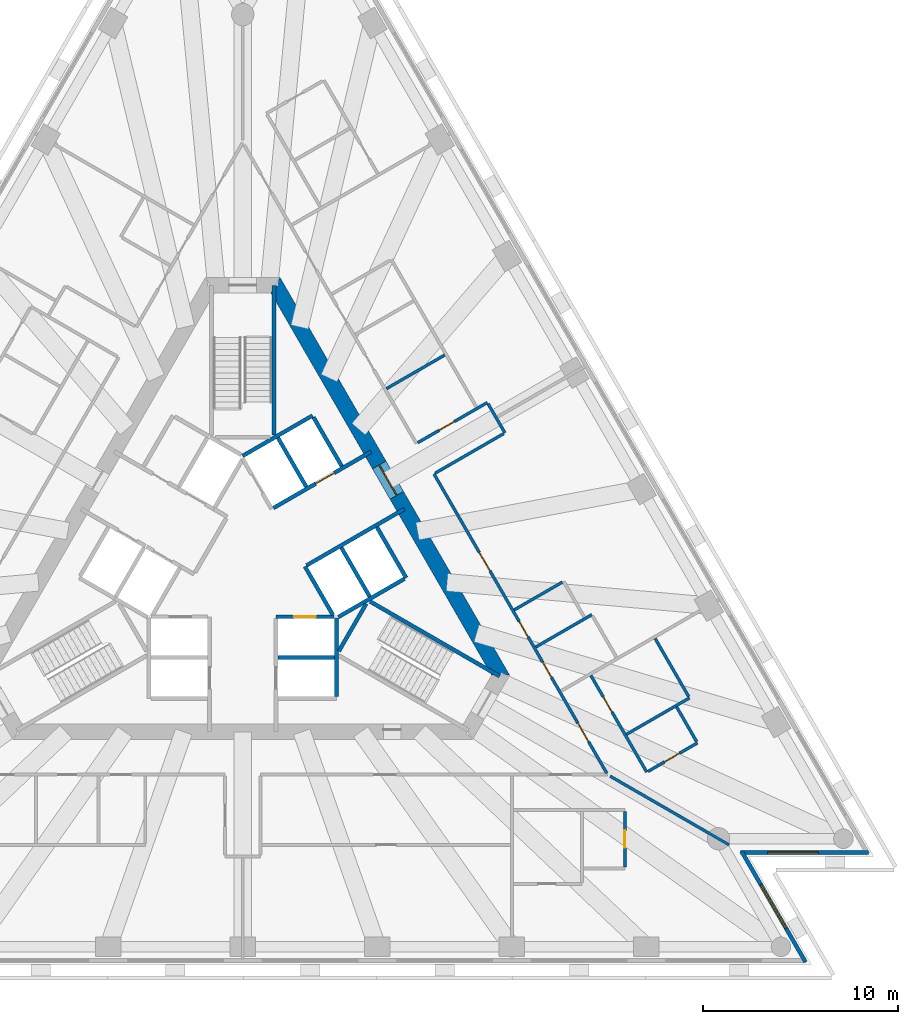
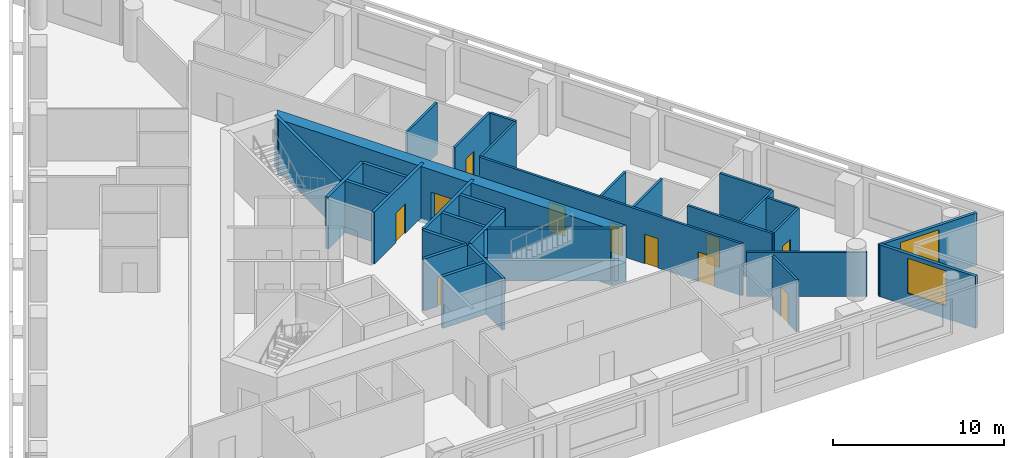
# One storey, part 5 of 10: 32 walls, 11 doors, 2 windows, 13 openings.
"""IFC4 building model written with IfcOpenShell, lengths in metres."""

import ifcopenshell
import ifcopenshell.guid

model = None  # the IFC model being written
_history = None  # IfcOwnerHistory: only IFC2X3 demands one
_inside = {}  # id of a spatial element -> (the spatial element, [elements in it])
_under = {}  # id of a project, library or spatial element -> (it, [spatial elements below it])
_declared = {}  # id of a project -> (the project, [libraries it declares])
_typed = {}  # id of a type object -> (the type object, [elements of that type])
_made_of = {}  # id of a material, layer set ... -> (it, [elements and type objects made of it])


def new_model(schema):
    """Start an empty IFC model of exactly this schema.

    Asked for "IFC4X3", IfcOpenShell would pick the latest addendum, in which some entities
    have other attributes; the version numbers below select the first issue.
    IFC2X3 requires an IfcOwnerHistory on every rooted entity: one is made here for all.
    """
    global model, _history
    if schema == "IFC4X3":
        model = ifcopenshell.file(schema_version=(4, 3, 0, 0))
    else:
        model = ifcopenshell.file(schema=schema)
    _inside.clear()
    _under.clear()
    _declared.clear()
    _typed.clear()
    _made_of.clear()
    _history = None
    if model.schema == "IFC2X3":
        org = make("IfcOrganization", Name="unknown")
        user = make(
            "IfcPersonAndOrganization",
            ThePerson=make("IfcPerson", FamilyName="unknown"),
            TheOrganization=org,
        )
        app = make(
            "IfcApplication",
            ApplicationDeveloper=org,
            Version="unknown",
            ApplicationFullName="unknown",
            ApplicationIdentifier="unknown",
        )
        _history = make(
            "IfcOwnerHistory",
            OwningUser=user,
            OwningApplication=app,
            ChangeAction="ADDED",
            CreationDate=0,
        )
    return model


def make(cls, **values):
    """One entity of the class cls with the attributes given. An attribute that is None is left unset."""
    return model.create_entity(
        cls, **{name: value for name, value in values.items() if value is not None}
    )


def rooted(cls, **values):
    """An entity with a GlobalId (a new one), such as an element, a storey or a relation."""
    return make(cls, GlobalId=ifcopenshell.guid.new(), OwnerHistory=_history, **values)


def si_unit(unit_type, name, prefix=None):
    """IfcSIUnit, for example si_unit("LENGTHUNIT", "METRE", prefix="MILLI")."""
    return make("IfcSIUnit", UnitType=unit_type, Prefix=prefix, Name=name)


def assignment(units):
    """IfcUnitAssignment: the units of a project."""
    return None if units is None else make("IfcUnitAssignment", Units=units)


def point(xyz):
    """IfcCartesianPoint."""
    return None if xyz is None else make("IfcCartesianPoint", Coordinates=xyz)


def direction(xyz):
    """IfcDirection."""
    return None if xyz is None else make("IfcDirection", DirectionRatios=xyz)


def frame(location, z_axis=None, x_axis=None):
    """IfcAxis2Placement3D, a coordinate frame: its origin and axes. An axis left out is left unset."""
    return make(
        "IfcAxis2Placement3D",
        Location=point(location),
        Axis=direction(z_axis),
        RefDirection=direction(x_axis),
    )


def frame_2d(location, x_axis=None):
    """IfcAxis2Placement2D, a coordinate frame in the plane: its origin and x axis."""
    return make(
        "IfcAxis2Placement2D", Location=point(location), RefDirection=direction(x_axis)
    )


def origin():
    """The frame at (0, 0, 0) with its axes left unset."""
    return frame((0.0, 0.0, 0.0))


def place(relative_to, where):
    """IfcLocalPlacement: puts the frame where relative to a parent placement (None: the world)."""
    return make(
        "IfcLocalPlacement", PlacementRelTo=relative_to, RelativePlacement=where
    )


def context(
    kind, dimensions, precision=None, world=None, true_north=None, identifier=None
):
    """IfcGeometricRepresentationContext, for example the 3D "Model" context."""
    return make(
        "IfcGeometricRepresentationContext",
        ContextIdentifier=identifier,
        ContextType=kind,
        CoordinateSpaceDimension=dimensions,
        Precision=precision,
        WorldCoordinateSystem=world,
        TrueNorth=true_north,
    )


def subcontext(parent, identifier, kind, view, scale=None):
    """IfcGeometricRepresentationSubContext, for example "Body" below "Model"."""
    return make(
        "IfcGeometricRepresentationSubContext",
        ContextIdentifier=identifier,
        ContextType=kind,
        ParentContext=parent,
        TargetScale=scale,
        TargetView=view,
    )


def project(units=None, contexts=None):
    """IfcProject with its units and contexts."""
    return rooted(
        "IfcProject",
        Name="project",
        RepresentationContexts=contexts,
        UnitsInContext=assignment(units),
    )


def spatial(cls, under=None, at=None, **own):
    """A site, building, storey or space (cls), placed at a placement, below another one or the project."""
    s = rooted(cls, ObjectPlacement=at, **own)
    if under is not None:
        _under.setdefault(under.id(), (under, []))[1].append(s)
    return s


def polyline(points):
    """IfcPolyline through the points."""
    return make("IfcPolyline", Points=[point(p) for p in points])


def profile(cls, at=None, kind="AREA", **sizes):
    """A parametric profile (cls). Its sizes go by their IFC names, for example OverallWidth=200.0."""
    return make(cls, ProfileType=kind, Position=at, **sizes)


def rectangle(**sizes):
    """IfcRectangleProfileDef."""
    return profile("IfcRectangleProfileDef", **sizes)


def outline(outer, holes=None, kind="AREA"):
    """IfcArbitraryClosedProfileDef: a profile drawn as a closed curve; with holes, ...WithVoids."""
    if holes is None:
        return make("IfcArbitraryClosedProfileDef", ProfileType=kind, OuterCurve=outer)
    return make(
        "IfcArbitraryProfileDefWithVoids",
        ProfileType=kind,
        OuterCurve=outer,
        InnerCurves=holes,
    )


def extrude(swept, where, along, depth):
    """IfcExtrudedAreaSolid: the profile swept, set in the frame where, extruded along a direction by depth."""
    return make(
        "IfcExtrudedAreaSolid",
        SweptArea=swept,
        Position=where,
        ExtrudedDirection=direction(along),
        Depth=depth,
    )


def shape(context_of_items, identifier, shape_type, items):
    """IfcShapeRepresentation: the items that make up one representation, for example the "Body"."""
    return make(
        "IfcShapeRepresentation",
        ContextOfItems=context_of_items,
        RepresentationIdentifier=identifier,
        RepresentationType=shape_type,
        Items=items,
    )


def material(Name=None, Category=None):
    """IfcMaterial."""
    return make("IfcMaterial", Name=Name, Category=Category)


def layer(
    of_material, thickness, ventilated=None, Name=None, Category=None, Priority=None
):
    """IfcMaterialLayer: one layer of a wall or slab, of a material (None: an air gap)."""
    return make(
        "IfcMaterialLayer",
        Material=of_material,
        LayerThickness=thickness,
        IsVentilated=ventilated,
        Name=Name,
        Category=Category,
        Priority=Priority,
    )


def layer_set(layers, Name=None):
    """IfcMaterialLayerSet."""
    return make("IfcMaterialLayerSet", MaterialLayers=layers, LayerSetName=Name)


def layer_usage(for_layer_set, set_direction, sense, offset, extent=None):
    """IfcMaterialLayerSetUsage: how a layer set lies in its element."""
    return make(
        "IfcMaterialLayerSetUsage",
        ForLayerSet=for_layer_set,
        LayerSetDirection=set_direction,
        DirectionSense=sense,
        OffsetFromReferenceLine=offset,
        ReferenceExtent=extent,
    )


def made_of(thing, what):
    """Note that an element or type object is made of a material, layer set ...; save() writes the relation."""
    if what is not None:
        _made_of.setdefault(what.id(), (what, []))[1].append(thing)
    return thing


def type_object(cls, material=None, **own):
    """A type object (cls), such as IfcWallType, which elements share."""
    return made_of(rooted(cls, **own), material)


def element(
    cls,
    number,
    at=None,
    inside=None,
    cuts=None,
    type_object=None,
    material=None,
    context=None,
    identifier="Body",
    shape_type=None,
    held_by="IfcProductDefinitionShape",
    body=None,
    shapes=None,
    **own,
):
    """One element of the class cls, such as IfcWall. Its Tag is "e" and its number.

    at: its placement. inside: the storey or other place that contains it. cuts: it is an
    opening in that element (IfcRelVoidsElement). A single representation is given by context,
    identifier, shape_type and body (its items); several are given by shapes. held_by: the class
    of the entity that holds the representations. save() writes the other relations.
    """
    e = rooted(cls, Tag="e%d" % number, ObjectPlacement=at, **own)
    if body is not None:
        shapes = [shape(context, identifier, shape_type, body)]
    if shapes is not None:
        e.Representation = make(held_by, Representations=shapes)
    if inside is not None:
        _inside.setdefault(inside.id(), (inside, []))[1].append(e)
    if cuts is not None:
        rooted(
            "IfcRelVoidsElement", RelatingBuildingElement=cuts, RelatedOpeningElement=e
        )
    if type_object is not None:
        _typed.setdefault(type_object.id(), (type_object, []))[1].append(e)
    return made_of(e, material)


def fill(opening, filler):
    """IfcRelFillsElement: the door or window that sits in an opening."""
    return rooted(
        "IfcRelFillsElement",
        RelatingOpeningElement=opening,
        RelatedBuildingElement=filler,
    )


def aggregate(whole, parts):
    """IfcRelAggregates: a whole, such as a stair, and the parts it consists of."""
    return rooted("IfcRelAggregates", RelatingObject=whole, RelatedObjects=parts)


def save(model, path):
    """Write the relations noted so far, then the file.

    IfcRelAggregates (storeys below a building ...), IfcRelContainedInSpatialStructure (elements
    in a storey), IfcRelDefinesByType, IfcRelAssociatesMaterial and IfcRelDeclares: one each for
    every whole, place, type object, material and project.
    """
    for whole, parts in _under.values():
        aggregate(whole, parts)
    for where, things in _inside.values():
        rooted(
            "IfcRelContainedInSpatialStructure",
            RelatedElements=things,
            RelatingStructure=where,
        )
    for kind, things in _typed.values():
        rooted("IfcRelDefinesByType", RelatedObjects=things, RelatingType=kind)
    for what, things in _made_of.values():
        rooted("IfcRelAssociatesMaterial", RelatedObjects=things, RelatingMaterial=what)
    for by, libraries in _declared.values():
        rooted("IfcRelDeclares", RelatingContext=by, RelatedDefinitions=libraries)
    model.write(path)


model = new_model("IFC4")

# Units and contexts
model_context = context("Model", 3, precision=1e-05, world=origin(), true_north=direction((0.0, 1.0)))
body_context = subcontext(model_context, "Body", "Model", "MODEL_VIEW")
ifc_project = project(units=[si_unit("LENGTHUNIT", "METRE"), si_unit("AREAUNIT", "SQUARE_METRE"), si_unit("VOLUMEUNIT", "CUBIC_METRE"), si_unit("PLANEANGLEUNIT", "RADIAN"), si_unit("MASSUNIT", "GRAM", prefix="KILO")], contexts=[model_context])

# Site, building, storey
site_placement = place(None, origin())
site = spatial("IfcSite", under=ifc_project, at=site_placement, CompositionType="ELEMENT")
building_placement = place(site_placement, origin())
building = spatial("IfcBuilding", under=site, at=building_placement, Name="Triada Interchange Tower", CompositionType="ELEMENT")
storey_placement = place(building_placement, frame((0.0, 0.0, 124.300048828125)))
storey = spatial("IfcBuildingStorey", under=building, at=storey_placement, Name="L28", CompositionType="ELEMENT", Elevation=124.300048828125)

# Wall
ifc_material_1 = material(Name="Concrete C30/37", Category="concrete")
ifc_layer_1 = layer(ifc_material_1, 0.199951171875)
ifc_layer_set_1 = layer_set([ifc_layer_1], Name="CORE WALL 200 EI 120")
wall_type_1 = type_object("IfcWallType", Name="CORE WALL 200 EI 120", PredefinedType="SOLIDWALL", material=ifc_layer_set_1)
wall_1_placement = place(storey_placement, frame((1.800048828125, -4.800048828125, 0.0), z_axis=(0.0, 0.0, 1.0), x_axis=(1.0, 0.0, 0.0)))
element("IfcWall", 1, at=wall_1_placement, inside=storey, type_object=wall_type_1, Name="Wall L26 63", PredefinedType="SOLIDWALL", context=body_context, shape_type="SweptSolid", body=[
    extrude(rectangle(XDim=2.89990234375, YDim=0.199951171875, at=frame_2d((1.449951171875, 0.0))), origin(), (0.0, 0.0, 1.0), 3.699951171875),
])

# Wall, opening, door
wall_2_placement = place(storey_placement, frame((1.702880859375, -2.699951171875, 0.0), z_axis=(0.0, 0.0, 1.0), x_axis=(1.0, 0.0, 0.0)))
wall_2 = element("IfcWall", 2, at=wall_2_placement, inside=storey, type_object=wall_type_1, Name="Wall L26 69", PredefinedType="SOLIDWALL", context=body_context, shape_type="SweptSolid", body=[
    extrude(rectangle(XDim=2.97314453125, YDim=0.199951171875, at=frame_2d((1.486572265625, 0.0))), origin(), (0.0, 0.0, 1.0), 3.699951171875),
])
opening_1_placement = place(wall_2_placement, frame((0.93603515625, 0.0, 0.0)))
opening_1 = element("IfcOpeningElement", 3, at=opening_1_placement, cuts=wall_2, Name="Opening LD-LR1", PredefinedType="OPENING", context=body_context, shape_type="SweptSolid", body=[
    extrude(rectangle(XDim=1.10009765625, YDim=2.10009765625, at=frame_2d((0.550048828125, 1.050048828125))), frame((0.0, 0.10986328125, 0.0), z_axis=(0.0, -1.0, 0.0), x_axis=(1.0, 0.0, 0.0)), (0.0, 0.0, 1.0), 0.219970703125),
])
ifc_material_2 = material(Name="Steel S235 door leaf", Category="steel")
door_type_1 = type_object("IfcDoorType", Name="LIFT LANDING DOOR 1100 EI 120", OperationType="SLIDING_TO_LEFT", PredefinedType="DOOR", material=ifc_material_2)
door_1_placement = place(opening_1_placement, origin())
door_1 = element("IfcDoor", 4, at=door_1_placement, inside=storey, type_object=door_type_1, Name="LR1 landing door L28", OperationType="SLIDING_TO_LEFT", OverallHeight=2.10009765625, OverallWidth=1.10009765625, PredefinedType="DOOR", context=body_context, shape_type="SweptSolid", body=[
    extrude(rectangle(XDim=1.10009765625, YDim=2.10009765625, at=frame_2d((0.550048828125, 1.050048828125))), frame((0.0, 0.02490234375, 0.0), z_axis=(0.0, -1.0, 0.0), x_axis=(1.0, 0.0, 0.0)), (0.0, 0.0, 1.0), 0.050048828125),
])
fill(opening_1, door_1)

# Walls
wall_3_placement = place(storey_placement, frame((-0.001953125, 5.541015625, 0.0), z_axis=(0.0, 0.0, 1.0), x_axis=(0.86600155993, 0.500041296494, 0.0)))
element("IfcWall", 5, at=wall_3_placement, inside=storey, type_object=wall_type_1, Name="Wall L26 70", PredefinedType="SOLIDWALL", context=body_context, shape_type="SweptSolid", body=[
    extrude(rectangle(XDim=4.131591796875, YDim=0.199951171875, at=frame_2d((2.06591796875, 0.0))), origin(), (0.0, 0.0, 1.0), 3.699951171875),
])
wall_4_placement = place(storey_placement, frame((3.18994140625, -0.125, 0.0), z_axis=(0.0, 0.0, 1.0), x_axis=(0.499988658015, -0.866031951983, 0.0)))
element("IfcWall", 6, at=wall_4_placement, inside=storey, type_object=wall_type_1, Name="Wall L26 72", PredefinedType="SOLIDWALL", context=body_context, shape_type="SweptSolid", body=[
    extrude(rectangle(XDim=2.85791015625, YDim=0.199951171875, at=frame_2d((1.428955078125, 0.0))), origin(), (0.0, 0.0, 1.0), 3.699951171875),
])

# Wall, opening, door
wall_5_placement = place(storey_placement, frame((1.576904296875, 2.8740234375, 0.0), z_axis=(0.0, 0.0, 1.0), x_axis=(0.866073694534, 0.499916348638, 0.0)))
wall_5 = element("IfcWall", 7, at=wall_5_placement, inside=storey, type_object=wall_type_1, Name="Wall L26 73", PredefinedType="SOLIDWALL", context=body_context, shape_type="SweptSolid", body=[
    extrude(rectangle(XDim=5.77685546875, YDim=0.199951171875, at=frame_2d((2.888427734375, 0.0))), origin(), (0.0, 0.0, 1.0), 3.699951171875),
])
opening_2_placement = place(wall_5_placement, frame((2.4970703125, 0.0, 0.0)))
opening_2 = element("IfcOpeningElement", 8, at=opening_2_placement, cuts=wall_5, Name="Opening LD-LR6", PredefinedType="OPENING", context=body_context, shape_type="SweptSolid", body=[
    extrude(rectangle(XDim=1.10009765625, YDim=2.10009765625, at=frame_2d((0.550048828125, 1.050048828125))), frame((0.0, 0.10986328125, 0.0), z_axis=(0.0, -1.0, 0.0), x_axis=(1.0, 0.0, 0.0)), (0.0, 0.0, 1.0), 0.219970703125),
])
door_2_placement = place(opening_2_placement, origin())
door_2 = element("IfcDoor", 9, at=door_2_placement, inside=storey, type_object=door_type_1, Name="LR6 landing door L28", OperationType="SLIDING_TO_LEFT", OverallHeight=2.10009765625, OverallWidth=1.10009765625, PredefinedType="DOOR", context=body_context, shape_type="SweptSolid", body=[
    extrude(rectangle(XDim=1.10009765625, YDim=2.10009765625, at=frame_2d((0.550048828125, 1.050048828125))), frame((0.0, 0.02490234375, 0.0), z_axis=(0.0, -1.0, 0.0), x_axis=(1.0, 0.0, 0.0)), (0.0, 0.0, 1.0), 0.050048828125),
])
fill(opening_2, door_2)

# Walls
wall_6_placement = place(storey_placement, frame((4.800048828125, -6.800048828125, 0.0), z_axis=(0.0, 0.0, 1.0), x_axis=(0.0, 1.0, 0.0)))
element("IfcWall", 10, at=wall_6_placement, inside=storey, type_object=wall_type_1, Name="Wall L26 75", PredefinedType="SOLIDWALL", context=body_context, shape_type="SweptSolid", body=[
    extrude(rectangle(XDim=4.029052734375, YDim=0.199951171875, at=frame_2d((2.0146484375, 0.0))), origin(), (0.0, 0.0, 1.0), 3.699951171875),
])
wall_7_placement = place(storey_placement, frame((3.278076171875, -0.071044921875, 0.0), z_axis=(0.0, 0.0, 1.0), x_axis=(0.865929348003, 0.5001663366, 0.0)))
element("IfcWall", 11, at=wall_7_placement, inside=storey, type_object=wall_type_1, Name="Wall L26 76", PredefinedType="SOLIDWALL", context=body_context, shape_type="SweptSolid", body=[
    extrude(rectangle(XDim=5.7763671875, YDim=0.199951171875, at=frame_2d((2.88818359375, 0.0))), origin(), (0.0, 0.0, 1.0), 3.699951171875),
])
wall_8_placement = place(storey_placement, frame((3.6259765625, 7.52001953125, 0.0), z_axis=(0.0, 0.0, 1.0), x_axis=(0.500060147554, -0.865990674793, 0.0)))
element("IfcWall", 12, at=wall_8_placement, inside=storey, type_object=wall_type_1, Name="Wall L26 77", PredefinedType="SOLIDWALL", context=body_context, shape_type="SweptSolid", body=[
    extrude(rectangle(XDim=2.899658203125, YDim=0.199951171875, at=frame_2d((1.44970703125, 0.0))), origin(), (0.0, 0.0, 1.0), 3.699951171875),
])
wall_9_placement = place(storey_placement, frame((6.8759765625, 1.89111328125, 0.0), z_axis=(0.0, 0.0, 1.0), x_axis=(0.499990139034, -0.866031096941, 0.0)))
element("IfcWall", 13, at=wall_9_placement, inside=storey, type_object=wall_type_1, Name="Wall L26 78", PredefinedType="SOLIDWALL", context=body_context, shape_type="SweptSolid", body=[
    extrude(rectangle(XDim=3.0, YDim=0.199951171875, at=frame_2d((1.5, 0.0))), origin(), (0.0, 0.0, 1.0), 3.699951171875),
])
for number, where, z_axis, x_axis, name in (
    (14, (1.806884765625, 6.469970703125, 0.0), (0.0, 0.0, 1.0), (0.50012328804, -0.865954211699, 0.0), "Wall L26 79"),
    (15, (5.056884765625, 0.841064453125, 0.0), (0.0, 0.0, 1.0), (0.50012328804, -0.865954211699, 0.0), "Wall L26 80"),
):
    element("IfcWall", number, at=place(storey_placement, frame(where, z_axis=z_axis, x_axis=x_axis)), inside=storey, type_object=wall_type_1, Name=name, PredefinedType="SOLIDWALL", context=body_context, shape_type="SweptSolid", body=[
        extrude(rectangle(XDim=2.899658203125, YDim=0.199951171875, at=frame_2d((1.44970703125, 0.0))), origin(), (0.0, 0.0, 1.0), 3.699951171875),
    ])
wall_10_placement = place(storey_placement, frame((4.89990234375, -2.714111328125, 0.0), z_axis=(0.0, 0.0, 1.0), x_axis=(0.865992350556, 0.500057245502, 0.0)))
element("IfcWall", 16, at=wall_10_placement, inside=storey, type_object=wall_type_1, Name="Wall L26 81", PredefinedType="SOLIDWALL", context=body_context, shape_type="SweptSolid", body=[
    extrude(rectangle(XDim=3.91357421875, YDim=0.199951171875, at=frame_2d((1.956787109375, 0.0))), origin(), (0.0, 0.0, 1.0), 3.699951171875),
])
ifc_layer_2 = layer(ifc_material_1, 0.199951171875)
ifc_layer_set_2 = layer_set([ifc_layer_2], Name="CORE WALL 200 REI 240")
wall_type_2 = type_object("IfcWallType", Name="CORE WALL 200 REI 240", PredefinedType="SOLIDWALL", material=ifc_layer_set_2)
wall_11_placement = place(storey_placement, frame((1.60009765625, 6.614990234375, 0.0), z_axis=(0.0, 0.0, 1.0), x_axis=(0.0, 1.0, 0.0)))
element("IfcWall", 17, at=wall_11_placement, inside=storey, type_object=wall_type_2, Name="Wall L26 100", PredefinedType="SOLIDWALL", context=body_context, shape_type="SweptSolid", body=[
    extrude(rectangle(XDim=7.6650390625, YDim=0.199951171875, at=frame_2d((3.83251953125, 0.0))), origin(), (0.0, 0.0, 1.0), 3.699951171875),
])
wall_12_placement = place(storey_placement, frame((4.928955078125, -4.4619140625, 0.0), z_axis=(0.0, 0.0, 1.0), x_axis=(0.500200581029, 0.865909567298, 0.0)))
element("IfcWall", 18, at=wall_12_placement, inside=storey, type_object=wall_type_2, Name="Wall L26 104", PredefinedType="SOLIDWALL", context=body_context, shape_type="SweptSolid", body=[
    extrude(rectangle(XDim=2.799072265625, YDim=0.199951171875, at=frame_2d((1.3994140625, 0.0))), origin(), (0.0, 0.0, 1.0), 3.699951171875),
])
wall_13_placement = place(storey_placement, frame((6.529052734375, -1.922119140625, 0.0), z_axis=(0.0, 0.0, 1.0), x_axis=(0.866060938598, -0.499938446846, 0.0)))
element("IfcWall", 19, at=wall_13_placement, inside=storey, type_object=wall_type_2, Name="Wall L26 105", PredefinedType="SOLIDWALL", context=body_context, shape_type="SweptSolid", body=[
    extrude(rectangle(XDim=7.66455078125, YDim=0.199951171875, at=frame_2d((3.832275390625, 0.0))), origin(), (0.0, 0.0, 1.0), 3.699951171875),
])

# Wall, opening, door
ifc_material_3 = material(Name="Concrete C60/75", Category="concrete")
ifc_layer_3 = layer(ifc_material_3, 0.800048828125)
ifc_layer_set_3 = layer_set([ifc_layer_3], Name="Core wall B 800")
wall_type_3 = type_object("IfcWallType", Name="Core wall B 800", PredefinedType="SHEAR", material=ifc_layer_set_3)
wall_14_placement = place(storey_placement, frame((13.220947265625, -5.699951171875, -0.300048828125), z_axis=(0.0, 0.0, 1.0), x_axis=(-0.499995765644, 0.866027848477, 0.0)))
wall_14 = element("IfcWall", 20, at=wall_14_placement, inside=storey, type_object=wall_type_3, Name="Core wall WB06 L28", PredefinedType="SHEAR", context=body_context, shape_type="SweptSolid", body=[
    extrude(outline(polyline([(-0.23095703125, -0.39990234375), (1.73193359375, -0.39990234375), (3.695068359375, -0.39990234375), (5.657958984375, -0.39990234375), (7.62109375, -0.39990234375), (9.583984375, -0.39990234375), (11.546875, -0.39990234375), (13.510009765625, -0.39990234375), (15.472900390625, -0.39990234375), (17.43603515625, -0.39990234375), (19.39892578125, -0.39990234375), (21.362060546875, -0.39990234375), (23.324951171875, -0.39990234375), (22.863037109375, 0.39990234375), (20.97705078125, 0.39990234375), (19.091064453125, 0.39990234375), (17.205078125, 0.39990234375), (15.319091796875, 0.39990234375), (13.43310546875, 0.39990234375), (11.546875, 0.39990234375), (9.660888671875, 0.39990234375), (7.77490234375, 0.39990234375), (5.888916015625, 0.39990234375), (4.0029296875, 0.39990234375), (2.116943359375, 0.39990234375), (0.23095703125, 0.39990234375), (-0.23095703125, -0.39990234375)])), origin(), (0.0, 0.0, 1.0), 4.0),
])
opening_3_placement = place(wall_14_placement, frame((10.64697265625, 0.0, 0.300048828125)))
opening_3 = element("IfcOpeningElement", 21, at=opening_3_placement, cuts=wall_14, Name="Opening D26-40", PredefinedType="OPENING", context=body_context, shape_type="SweptSolid", body=[
    extrude(rectangle(XDim=1.800048828125, YDim=2.10009765625, at=frame_2d((0.89990234375, 1.050048828125))), frame((0.0, 0.409912109375, 0.0), z_axis=(0.0, -1.0, 0.0), x_axis=(1.0, 0.0, 0.0)), (0.0, 0.0, 1.0), 0.820068359375),
])
door_type_2 = type_object("IfcDoorType", Name="LOBBY DOOR 1800 EI2 90-C5S200", OperationType="DOUBLE_DOOR_SINGLE_SWING", PredefinedType="DOOR", material=ifc_material_2)
door_3_placement = place(opening_3_placement, origin())
door_3 = element("IfcDoor", 22, at=door_3_placement, inside=storey, type_object=door_type_2, Name="Door D26-40 L28", OperationType="DOUBLE_DOOR_SINGLE_SWING", OverallHeight=2.10009765625, OverallWidth=1.800048828125, PredefinedType="DOOR", context=body_context, shape_type="SweptSolid", body=[
    extrude(rectangle(XDim=1.800048828125, YDim=2.10009765625, at=frame_2d((0.89990234375, 1.050048828125))), frame((0.0, 0.02490234375, 0.0), z_axis=(0.0, -1.0, 0.0), x_axis=(1.0, 0.0, 0.0)), (0.0, 0.0, 1.0), 0.050048828125),
])
fill(opening_3, door_3)

# Wall, opening, window
ifc_material_4 = material(Name="Cement board")
ifc_layer_4 = layer(ifc_material_4, 0.02001953125, Name="Cement board cladding")
ifc_material_5 = material(Name="Sheathing board")
ifc_layer_5 = layer(ifc_material_5, 0.014892578125, Name="Sheathing board")
ifc_material_6 = material(Name="Mineral wool")
ifc_layer_6 = layer(ifc_material_6, 0.14990234375, Name="Mineral wool between steel studs")
ifc_material_7 = material(Name="Gypsum board")
ifc_layer_7 = layer(ifc_material_7, 0.014892578125, Name="Plasterboard lining")
ifc_layer_set_4 = layer_set([ifc_layer_4, ifc_layer_5, ifc_layer_6, ifc_layer_7], Name="External wall 200")
ifc_layer_usage = layer_usage(ifc_layer_set_4, "AXIS2", "POSITIVE", -0.10009765625)
wall_type_4 = type_object("IfcWallType", Name="External wall 200", PredefinedType="ELEMENTEDWALL", material=ifc_layer_set_4)
wall_15_placement = place(storey_placement, frame((28.84912109375, -20.402099609375, 0.0), z_axis=(0.0, 0.0, 1.0), x_axis=(-0.500066121085, 0.865987225393, 0.0)))
wall_15 = element("IfcWall", 23, at=wall_15_placement, inside=storey, type_object=wall_type_4, material=ifc_layer_usage, Name="External wall L28 SE-1", PredefinedType="ELEMENTEDWALL", context=body_context, shape_type="SweptSolid", body=[
    extrude(rectangle(XDim=6.55908203125, YDim=0.199951171875, at=frame_2d((3.279541015625, 0.0))), origin(), (0.0, 0.0, 1.0), 3.699951171875),
])
opening_4_placement = place(wall_15_placement, frame((1.989990234375, 0.0, 0.89990234375)))
opening_4 = element("IfcOpeningElement", 24, at=opening_4_placement, cuts=wall_15, Name="Opening WB19", PredefinedType="OPENING", context=body_context, shape_type="SweptSolid", body=[
    extrude(rectangle(XDim=2.60009765625, YDim=2.5, at=frame_2d((1.300048828125, 1.25))), frame((0.0, 0.10986328125, 0.0), z_axis=(0.0, -1.0, 0.0), x_axis=(1.0, 0.0, 0.0)), (0.0, 0.0, 1.0), 0.219970703125),
])
ifc_material_8 = material(Name="Double glazed aluminium window", Category="aluminium")
window_type = type_object("IfcWindowType", Name="Ribbon window B pocket", PartitioningType="SINGLE_PANEL", PredefinedType="WINDOW", material=ifc_material_8)
window_1_placement = place(opening_4_placement, origin())
window_1 = element("IfcWindow", 25, at=window_1_placement, inside=storey, type_object=window_type, Name="Window L28 SE-1 1", OverallHeight=2.5, OverallWidth=2.60009765625, PartitioningType="SINGLE_PANEL", PredefinedType="WINDOW", context=body_context, shape_type="SweptSolid", body=[
    extrude(rectangle(XDim=2.60009765625, YDim=2.5, at=frame_2d((1.300048828125, 1.25))), frame((0.0, 0.030029296875, 0.0), z_axis=(0.0, -1.0, 0.0), x_axis=(1.0, 0.0, 0.0)), (0.0, 0.0, 1.0), 0.06005859375),
])
fill(opening_4, window_1)

wall_16_placement = place(storey_placement, frame((25.513916015625, -14.782958984375, 0.0), z_axis=(0.0, 0.0, 1.0), x_axis=(1.0, 0.0, 0.0)))
wall_16 = element("IfcWall", 26, at=wall_16_placement, inside=storey, type_object=wall_type_4, material=ifc_layer_usage, Name="External wall L28 SE-2", PredefinedType="ELEMENTEDWALL", context=body_context, shape_type="SweptSolid", body=[
    extrude(rectangle(XDim=6.55908203125, YDim=0.199951171875, at=frame_2d((3.279541015625, 0.0))), origin(), (0.0, 0.0, 1.0), 3.699951171875),
])
opening_5_placement = place(wall_16_placement, frame((1.389892578125, 0.0, 0.89990234375)))
opening_5 = element("IfcOpeningElement", 27, at=opening_5_placement, cuts=wall_16, Name="Opening WB20", PredefinedType="OPENING", context=body_context, shape_type="SweptSolid", body=[
    extrude(rectangle(XDim=2.60009765625, YDim=2.5, at=frame_2d((1.300048828125, 1.25))), frame((0.0, 0.10986328125, 0.0), z_axis=(0.0, -1.0, 0.0), x_axis=(1.0, 0.0, 0.0)), (0.0, 0.0, 1.0), 0.219970703125),
])
window_2_placement = place(opening_5_placement, origin())
window_2 = element("IfcWindow", 28, at=window_2_placement, inside=storey, type_object=window_type, Name="Window L28 SE-2 1", OverallHeight=2.5, OverallWidth=2.60009765625, PartitioningType="SINGLE_PANEL", PredefinedType="WINDOW", context=body_context, shape_type="SweptSolid", body=[
    extrude(rectangle(XDim=2.60009765625, YDim=2.5, at=frame_2d((1.300048828125, 1.25))), frame((0.0, 0.030029296875, 0.0), z_axis=(0.0, -1.0, 0.0), x_axis=(1.0, 0.0, 0.0)), (0.0, 0.0, 1.0), 0.06005859375),
])
fill(opening_5, window_2)

# Wall, openings, doors
ifc_material_9 = material(Name="Gypsum board partition")
ifc_layer_8 = layer(ifc_material_9, 0.14990234375)
ifc_layer_set_5 = layer_set([ifc_layer_8], Name="PARTITION 150 EI 180")
wall_type_5 = type_object("IfcWallType", Name="PARTITION 150 EI 180", PredefinedType="PARTITIONING", material=ifc_layer_set_5)
wall_17_placement = place(storey_placement, frame((9.802978515625, 4.6201171875, 0.0), z_axis=(0.0, 0.0, 1.0), x_axis=(0.500023004316, -0.866012121829, 0.0)))
wall_17 = element("IfcWall", 29, at=wall_17_placement, inside=storey, type_object=wall_type_5, Name="Wall L26 25", PredefinedType="PARTITIONING", context=body_context, shape_type="SweptSolid", body=[
    extrude(rectangle(XDim=17.719482421875, YDim=0.14990234375, at=frame_2d((8.85986328125, 0.0))), origin(), (0.0, 0.0, 1.0), 3.699951171875),
])
opening_6_placement = place(wall_17_placement, frame((14.756103515625, 0.0, 0.0)))
opening_6 = element("IfcOpeningElement", 30, at=opening_6_placement, cuts=wall_17, Name="Opening D26-21", PredefinedType="OPENING", context=body_context, shape_type="SweptSolid", body=[
    extrude(rectangle(XDim=1.10009765625, YDim=2.10009765625, at=frame_2d((0.550048828125, 1.050048828125))), frame((0.0, 0.0849609375, 0.0), z_axis=(0.0, -1.0, 0.0), x_axis=(1.0, 0.0, 0.0)), (0.0, 0.0, 1.0), 0.169921875),
])
opening_7_placement = place(wall_17_placement, frame((4.64501953125, 0.0, 0.0)))
opening_7 = element("IfcOpeningElement", 31, at=opening_7_placement, cuts=wall_17, Name="Opening D26-24", PredefinedType="OPENING", context=body_context, shape_type="SweptSolid", body=[
    extrude(rectangle(XDim=1.10009765625, YDim=2.10009765625, at=frame_2d((0.550048828125, 1.050048828125))), frame((0.0, 0.0849609375, 0.0), z_axis=(0.0, -1.0, 0.0), x_axis=(1.0, 0.0, 0.0)), (0.0, 0.0, 1.0), 0.169921875),
])
opening_8_placement = place(wall_17_placement, frame((11.14501953125, 0.0, 0.0)))
opening_8 = element("IfcOpeningElement", 32, at=opening_8_placement, cuts=wall_17, Name="Opening D26-25", PredefinedType="OPENING", context=body_context, shape_type="SweptSolid", body=[
    extrude(rectangle(XDim=0.89990234375, YDim=2.10009765625, at=frame_2d((0.449951171875, 1.050048828125))), frame((0.0, 0.0849609375, 0.0), z_axis=(0.0, -1.0, 0.0), x_axis=(1.0, 0.0, 0.0)), (0.0, 0.0, 1.0), 0.169921875),
])
opening_9_placement = place(wall_17_placement, frame((8.7451171875, 0.0, 0.0)))
opening_9 = element("IfcOpeningElement", 33, at=opening_9_placement, cuts=wall_17, Name="Opening D26-26", PredefinedType="OPENING", context=body_context, shape_type="SweptSolid", body=[
    extrude(rectangle(XDim=0.89990234375, YDim=2.10009765625, at=frame_2d((0.449951171875, 1.050048828125))), frame((0.0, 0.0849609375, 0.0), z_axis=(0.0, -1.0, 0.0), x_axis=(1.0, 0.0, 0.0)), (0.0, 0.0, 1.0), 0.169921875),
])
door_type_3 = type_object("IfcDoorType", Name="ROOM DOOR 900 EI2 90-C5S200", OperationType="NOTDEFINED", PredefinedType="DOOR", material=ifc_material_2)
door_4_placement = place(opening_8_placement, origin())
door_4 = element("IfcDoor", 34, at=door_4_placement, inside=storey, type_object=door_type_3, Name="Door D26-25 L28", OperationType="SINGLE_SWING_LEFT", OverallHeight=2.10009765625, OverallWidth=0.89990234375, PredefinedType="DOOR", context=body_context, shape_type="SweptSolid", body=[
    extrude(rectangle(XDim=0.89990234375, YDim=2.10009765625, at=frame_2d((0.449951171875, 1.050048828125))), frame((0.0, 0.02490234375, 0.0), z_axis=(0.0, -1.0, 0.0), x_axis=(1.0, 0.0, 0.0)), (0.0, 0.0, 1.0), 0.050048828125),
])
fill(opening_8, door_4)
door_type_4 = type_object("IfcDoorType", Name="SERVICE DOOR 900 EI2 90-C5S200", OperationType="NOTDEFINED", PredefinedType="DOOR", material=ifc_material_2)
door_5_placement = place(opening_9_placement, origin())
door_5 = element("IfcDoor", 35, at=door_5_placement, inside=storey, type_object=door_type_4, Name="Door D26-26 L28", OperationType="SINGLE_SWING_LEFT", OverallHeight=2.10009765625, OverallWidth=0.89990234375, PredefinedType="DOOR", context=body_context, shape_type="SweptSolid", body=[
    extrude(rectangle(XDim=0.89990234375, YDim=2.10009765625, at=frame_2d((0.449951171875, 1.050048828125))), frame((0.0, 0.02490234375, 0.0), z_axis=(0.0, -1.0, 0.0), x_axis=(1.0, 0.0, 0.0)), (0.0, 0.0, 1.0), 0.050048828125),
])
fill(opening_9, door_5)
door_type_5 = type_object("IfcDoorType", Name="TENANCY ENTRANCE DOOR 1100 EI2 90-C5S200", OperationType="NOTDEFINED", PredefinedType="DOOR", material=ifc_material_2)
door_6_placement = place(opening_6_placement, origin())
door_6 = element("IfcDoor", 36, at=door_6_placement, inside=storey, type_object=door_type_5, Name="Door D26-21 L28", OperationType="SINGLE_SWING_RIGHT", OverallHeight=2.10009765625, OverallWidth=1.10009765625, PredefinedType="DOOR", context=body_context, shape_type="SweptSolid", body=[
    extrude(rectangle(XDim=1.10009765625, YDim=2.10009765625, at=frame_2d((0.550048828125, 1.050048828125))), frame((0.0, 0.02490234375, 0.0), z_axis=(0.0, -1.0, 0.0), x_axis=(1.0, 0.0, 0.0)), (0.0, 0.0, 1.0), 0.050048828125),
])
fill(opening_6, door_6)
door_7_placement = place(opening_7_placement, origin())
door_7 = element("IfcDoor", 37, at=door_7_placement, inside=storey, type_object=door_type_5, Name="Door D26-24 L28", OperationType="SINGLE_SWING_LEFT", OverallHeight=2.10009765625, OverallWidth=1.10009765625, PredefinedType="DOOR", context=body_context, shape_type="SweptSolid", body=[
    extrude(rectangle(XDim=1.10009765625, YDim=2.10009765625, at=frame_2d((0.550048828125, 1.050048828125))), frame((0.0, 0.02490234375, 0.0), z_axis=(0.0, -1.0, 0.0), x_axis=(1.0, 0.0, 0.0)), (0.0, 0.0, 1.0), 0.050048828125),
])
fill(opening_7, door_7)

# Wall
wall_18_placement = place(storey_placement, frame((7.367919921875, 8.989013671875, 0.0), z_axis=(0.0, 0.0, 1.0), x_axis=(0.866031223622, 0.49998991961, 0.0)))
element("IfcWall", 38, at=wall_18_placement, inside=storey, type_object=wall_type_5, Name="Wall L26 30", PredefinedType="PARTITIONING", context=body_context, shape_type="SweptSolid", body=[
    extrude(rectangle(XDim=3.4501953125, YDim=0.14990234375, at=frame_2d((1.72509765625, 0.0))), origin(), (0.0, 0.0, 1.0), 3.699951171875),
])

# Wall, opening, door
wall_19_placement = place(storey_placement, frame((8.968994140625, 6.218017578125, 0.0), z_axis=(0.0, 0.0, 1.0), x_axis=(0.865997263264, 0.500048737644, 0.0)))
wall_19 = element("IfcWall", 39, at=wall_19_placement, inside=storey, type_object=wall_type_5, Name="Wall L26 31", PredefinedType="PARTITIONING", context=body_context, shape_type="SweptSolid", body=[
    extrude(rectangle(XDim=4.12353515625, YDim=0.14990234375, at=frame_2d((2.061767578125, 0.0))), origin(), (0.0, 0.0, 1.0), 3.699951171875),
])
opening_10_placement = place(wall_19_placement, frame((1.27392578125, 0.0, 0.0)))
opening_10 = element("IfcOpeningElement", 40, at=opening_10_placement, cuts=wall_19, Name="Opening D26-28", PredefinedType="OPENING", context=body_context, shape_type="SweptSolid", body=[
    extrude(rectangle(XDim=0.89990234375, YDim=2.10009765625, at=frame_2d((0.449951171875, 1.050048828125))), frame((0.0, 0.0849609375, 0.0), z_axis=(0.0, -1.0, 0.0), x_axis=(1.0, 0.0, 0.0)), (0.0, 0.0, 1.0), 0.169921875),
])
door_8_placement = place(opening_10_placement, origin())
door_8 = element("IfcDoor", 41, at=door_8_placement, inside=storey, type_object=door_type_3, Name="Door D26-28 L28", OperationType="SINGLE_SWING_LEFT", OverallHeight=2.10009765625, OverallWidth=0.89990234375, PredefinedType="DOOR", context=body_context, shape_type="SweptSolid", body=[
    extrude(rectangle(XDim=0.89990234375, YDim=2.10009765625, at=frame_2d((0.449951171875, 1.050048828125))), frame((0.0, 0.02490234375, 0.0), z_axis=(0.0, -1.0, 0.0), x_axis=(1.0, 0.0, 0.0)), (0.0, 0.0, 1.0), 0.050048828125),
])
fill(opening_10, door_8)

# Walls
wall_20_placement = place(storey_placement, frame((12.577880859375, 8.215087890625, 0.0), z_axis=(0.0, 0.0, 1.0), x_axis=(0.499746958151, -0.866171448282, 0.0)))
element("IfcWall", 42, at=wall_20_placement, inside=storey, type_object=wall_type_5, Name="Wall L26 32", PredefinedType="PARTITIONING", context=body_context, shape_type="SweptSolid", body=[
    extrude(rectangle(XDim=1.72509765625, YDim=0.14990234375, at=frame_2d((0.862548828125, 0.0))), origin(), (0.0, 0.0, 1.0), 3.699951171875),
])
wall_21_placement = place(storey_placement, frame((9.868896484375, 4.658935546875, 0.0), z_axis=(0.0, 0.0, 1.0), x_axis=(0.866033948129, 0.499985200469, 0.0)))
element("IfcWall", 43, at=wall_21_placement, inside=storey, type_object=wall_type_5, Name="Wall L26 33", PredefinedType="PARTITIONING", context=body_context, shape_type="SweptSolid", body=[
    extrude(rectangle(XDim=4.04833984375, YDim=0.14990234375, at=frame_2d((2.024169921875, 0.0))), origin(), (0.0, 0.0, 1.0), 3.699951171875),
])
wall_22_placement = place(storey_placement, frame((13.916015625, -2.35302734375, 0.0), z_axis=(0.0, 0.0, 1.0), x_axis=(0.866004402611, 0.500036373335, 0.0)))
element("IfcWall", 44, at=wall_22_placement, inside=storey, type_object=wall_type_5, Name="Wall L26 36", PredefinedType="PARTITIONING", context=body_context, shape_type="SweptSolid", body=[
    extrude(rectangle(XDim=2.849853515625, YDim=0.14990234375, at=frame_2d((1.4248046875, 0.0))), origin(), (0.0, 0.0, 1.0), 3.699951171875),
])
wall_23_placement = place(storey_placement, frame((15.01611328125, -4.258056640625, 0.0), z_axis=(0.0, 0.0, 1.0), x_axis=(0.866029041019, 0.499993700073, 0.0)))
element("IfcWall", 45, at=wall_23_placement, inside=storey, type_object=wall_type_5, Name="Wall L26 37", PredefinedType="PARTITIONING", context=body_context, shape_type="SweptSolid", body=[
    extrude(rectangle(XDim=3.32421875, YDim=0.14990234375, at=frame_2d((1.662109375, 0.0))), origin(), (0.0, 0.0, 1.0), 3.699951171875),
])
wall_24_placement = place(storey_placement, frame((18.8349609375, -10.875, 0.0), z_axis=(0.0, 0.0, 1.0), x_axis=(0.866009336022, -0.500027829149, 0.0)))
element("IfcWall", 46, at=wall_24_placement, inside=storey, type_object=wall_type_5, Name="Wall L26 40", PredefinedType="PARTITIONING", context=body_context, shape_type="SweptSolid", body=[
    extrude(rectangle(XDim=7.03564453125, YDim=0.14990234375, at=frame_2d((3.517822265625, 0.0))), origin(), (0.0, 0.0, 1.0), 3.14990234375),
])

# Wall, opening, door
ifc_layer_9 = layer(ifc_material_9, 0.14990234375)
ifc_layer_set_6 = layer_set([ifc_layer_9], Name="PARTITION 150 EI 90")
wall_type_6 = type_object("IfcWallType", Name="PARTITION 150 EI 90", PredefinedType="PARTITIONING", material=ifc_layer_set_6)
wall_25_placement = place(storey_placement, frame((17.846923828125, -5.7119140625, 0.0), z_axis=(0.0, 0.0, 1.0), x_axis=(0.500069422629, -0.865985318901, 0.0)))
wall_25 = element("IfcWall", 47, at=wall_25_placement, inside=storey, type_object=wall_type_6, Name="Wall L26 50", PredefinedType="PARTITIONING", context=body_context, shape_type="SweptSolid", body=[
    extrude(rectangle(XDim=5.725341796875, YDim=0.14990234375, at=frame_2d((2.86279296875, 0.0))), origin(), (0.0, 0.0, 1.0), 3.699951171875),
])
opening_11_placement = place(wall_25_placement, frame((1.27587890625, 0.0, 0.0)))
opening_11 = element("IfcOpeningElement", 48, at=opening_11_placement, cuts=wall_25, Name="Opening D26-22", PredefinedType="OPENING", context=body_context, shape_type="SweptSolid", body=[
    extrude(rectangle(XDim=0.89990234375, YDim=2.10009765625, at=frame_2d((0.449951171875, 1.050048828125))), frame((0.0, 0.0849609375, 0.0), z_axis=(0.0, -1.0, 0.0), x_axis=(1.0, 0.0, 0.0)), (0.0, 0.0, 1.0), 0.169921875),
])
door_type_6 = type_object("IfcDoorType", Name="ROOM DOOR 900 EI2 45-C5S200", OperationType="NOTDEFINED", PredefinedType="DOOR", material=ifc_material_2)
door_9_placement = place(opening_11_placement, origin())
door_9 = element("IfcDoor", 49, at=door_9_placement, inside=storey, type_object=door_type_6, Name="Door D26-22 L28", OperationType="SINGLE_SWING_LEFT", OverallHeight=2.10009765625, OverallWidth=0.89990234375, PredefinedType="DOOR", context=body_context, shape_type="SweptSolid", body=[
    extrude(rectangle(XDim=0.89990234375, YDim=2.10009765625, at=frame_2d((0.449951171875, 1.050048828125))), frame((0.0, 0.02490234375, 0.0), z_axis=(0.0, -1.0, 0.0), x_axis=(1.0, 0.0, 0.0)), (0.0, 0.0, 1.0), 0.050048828125),
])
fill(opening_11, door_9)

wall_26_placement = place(storey_placement, frame((19.594970703125, -15.52490234375, 0.0), z_axis=(0.0, 0.0, 1.0), x_axis=(0.0, 1.0, 0.0)))
wall_26 = element("IfcWall", 50, at=wall_26_placement, inside=storey, type_object=wall_type_6, Name="Wall L26 55", PredefinedType="PARTITIONING", context=body_context, shape_type="SweptSolid", body=[
    extrude(rectangle(XDim=2.849853515625, YDim=0.14990234375, at=frame_2d((1.4248046875, 0.0))), origin(), (0.0, 0.0, 1.0), 3.699951171875),
])
opening_12_placement = place(wall_26_placement, frame((0.97509765625, 0.0, 0.0)))
opening_12 = element("IfcOpeningElement", 51, at=opening_12_placement, cuts=wall_26, Name="Opening D26-20", PredefinedType="OPENING", context=body_context, shape_type="SweptSolid", body=[
    extrude(rectangle(XDim=0.89990234375, YDim=2.10009765625, at=frame_2d((0.449951171875, 1.050048828125))), frame((0.0, 0.0849609375, 0.0), z_axis=(0.0, -1.0, 0.0), x_axis=(1.0, 0.0, 0.0)), (0.0, 0.0, 1.0), 0.169921875),
])
door_type_7 = type_object("IfcDoorType", Name="SERVICE DOOR 900 EI2 45-C5S200", OperationType="NOTDEFINED", PredefinedType="DOOR", material=ifc_material_2)
door_10_placement = place(opening_12_placement, origin())
door_10 = element("IfcDoor", 52, at=door_10_placement, inside=storey, type_object=door_type_7, Name="Door D26-20 L28", OperationType="SINGLE_SWING_RIGHT", OverallHeight=2.10009765625, OverallWidth=0.89990234375, PredefinedType="DOOR", context=body_context, shape_type="SweptSolid", body=[
    extrude(rectangle(XDim=0.89990234375, YDim=2.10009765625, at=frame_2d((0.449951171875, 1.050048828125))), frame((0.0, 0.02490234375, 0.0), z_axis=(0.0, -1.0, 0.0), x_axis=(1.0, 0.0, 0.0)), (0.0, 0.0, 1.0), 0.050048828125),
])
fill(opening_12, door_10)

# Walls
wall_27_placement = place(storey_placement, frame((19.675048828125, -8.72802734375, 0.0), z_axis=(0.0, 0.0, 1.0), x_axis=(0.865955274182, 0.500121448367, 0.0)))
element("IfcWall", 53, at=wall_27_placement, inside=storey, type_object=wall_type_6, Name="Wall L26 56", PredefinedType="PARTITIONING", context=body_context, shape_type="SweptSolid", body=[
    extrude(rectangle(XDim=3.72509765625, YDim=0.14990234375, at=frame_2d((1.862548828125, 0.0))), origin(), (0.0, 0.0, 1.0), 3.699951171875),
])
wall_28_placement = place(storey_placement, frame((21.137939453125, -3.81201171875, 0.0), z_axis=(0.0, 0.0, 1.0), x_axis=(0.49998991961, -0.866031223622, 0.0)))
element("IfcWall", 54, at=wall_28_placement, inside=storey, type_object=wall_type_6, Name="Wall L26 57", PredefinedType="PARTITIONING", context=body_context, shape_type="SweptSolid", body=[
    extrude(rectangle(XDim=3.4501953125, YDim=0.14990234375, at=frame_2d((1.72509765625, 0.0))), origin(), (0.0, 0.0, 1.0), 3.699951171875),
])

# Wall, opening, door
wall_29_placement = place(storey_placement, frame((20.77490234375, -10.633056640625, 0.0), z_axis=(0.0, 0.0, 1.0), x_axis=(0.865938168999, 0.50015106465, 0.0)))
wall_29 = element("IfcWall", 55, at=wall_29_placement, inside=storey, type_object=wall_type_6, Name="Wall L26 58", PredefinedType="PARTITIONING", context=body_context, shape_type="SweptSolid", body=[
    extrude(rectangle(XDim=2.92529296875, YDim=0.14990234375, at=frame_2d((1.462646484375, 0.0))), origin(), (0.0, 0.0, 1.0), 3.699951171875),
])
opening_13_placement = place(wall_29_placement, frame((0.97509765625, 0.0, 0.0)))
opening_13 = element("IfcOpeningElement", 56, at=opening_13_placement, cuts=wall_29, Name="Opening D26-23", PredefinedType="OPENING", context=body_context, shape_type="SweptSolid", body=[
    extrude(rectangle(XDim=0.89990234375, YDim=2.10009765625, at=frame_2d((0.449951171875, 1.050048828125))), frame((0.0, 0.0849609375, 0.0), z_axis=(0.0, -1.0, 0.0), x_axis=(1.0, 0.0, 0.0)), (0.0, 0.0, 1.0), 0.169921875),
])
door_11_placement = place(opening_13_placement, origin())
door_11 = element("IfcDoor", 57, at=door_11_placement, inside=storey, type_object=door_type_7, Name="Door D26-23 L28", OperationType="SINGLE_SWING_LEFT", OverallHeight=2.10009765625, OverallWidth=0.89990234375, PredefinedType="DOOR", context=body_context, shape_type="SweptSolid", body=[
    extrude(rectangle(XDim=0.89990234375, YDim=2.10009765625, at=frame_2d((0.449951171875, 1.050048828125))), frame((0.0, 0.02490234375, 0.0), z_axis=(0.0, -1.0, 0.0), x_axis=(1.0, 0.0, 0.0)), (0.0, 0.0, 1.0), 0.050048828125),
])
fill(opening_13, door_11)

# Wall
wall_30_placement = place(storey_placement, frame((22.2451171875, -7.330078125, 0.0), z_axis=(0.0, 0.0, 1.0), x_axis=(0.499853014394, -0.866110249334, 0.0)))
element("IfcWall", 58, at=wall_30_placement, inside=storey, type_object=wall_type_6, Name="Wall L26 59", PredefinedType="PARTITIONING", context=body_context, shape_type="SweptSolid", body=[
    extrude(rectangle(XDim=2.05029296875, YDim=0.14990234375, at=frame_2d((1.025146484375, 0.0))), origin(), (0.0, 0.0, 1.0), 3.699951171875),
])

save(model, "model.ifc")
